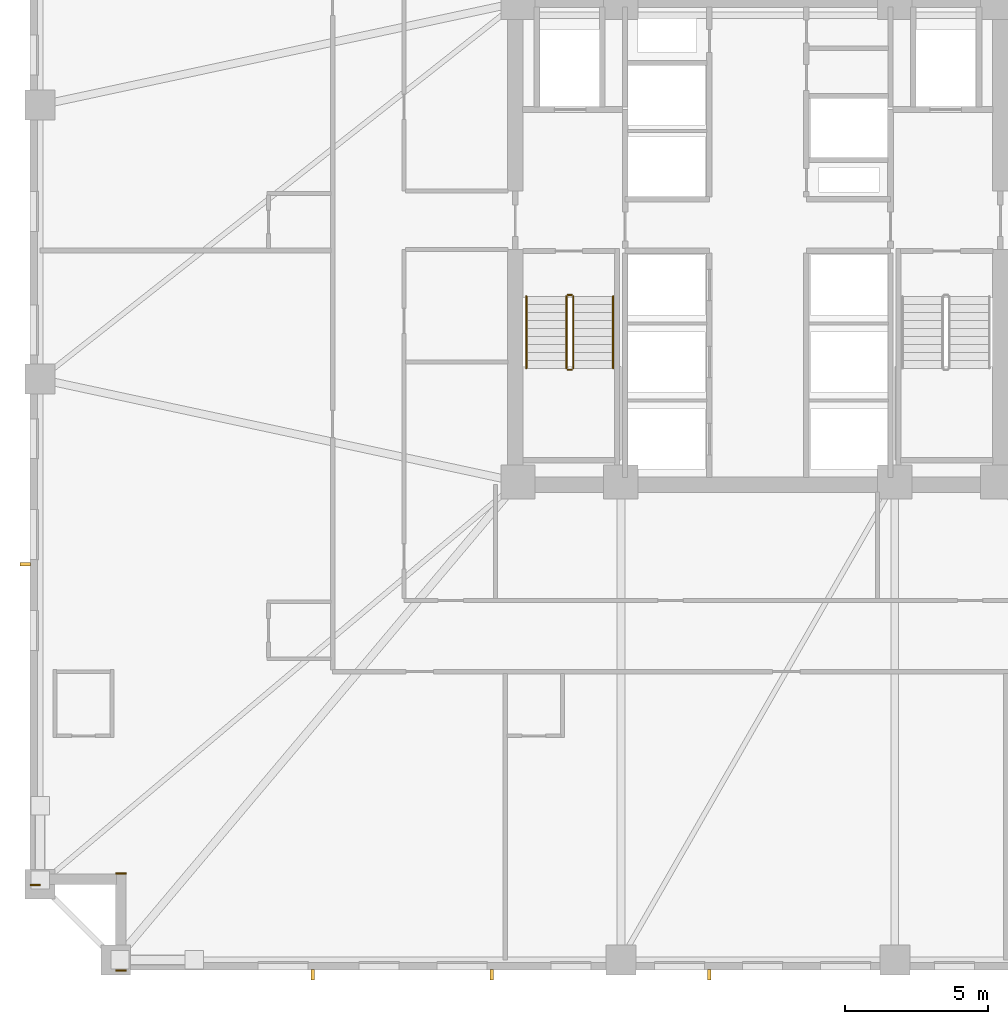
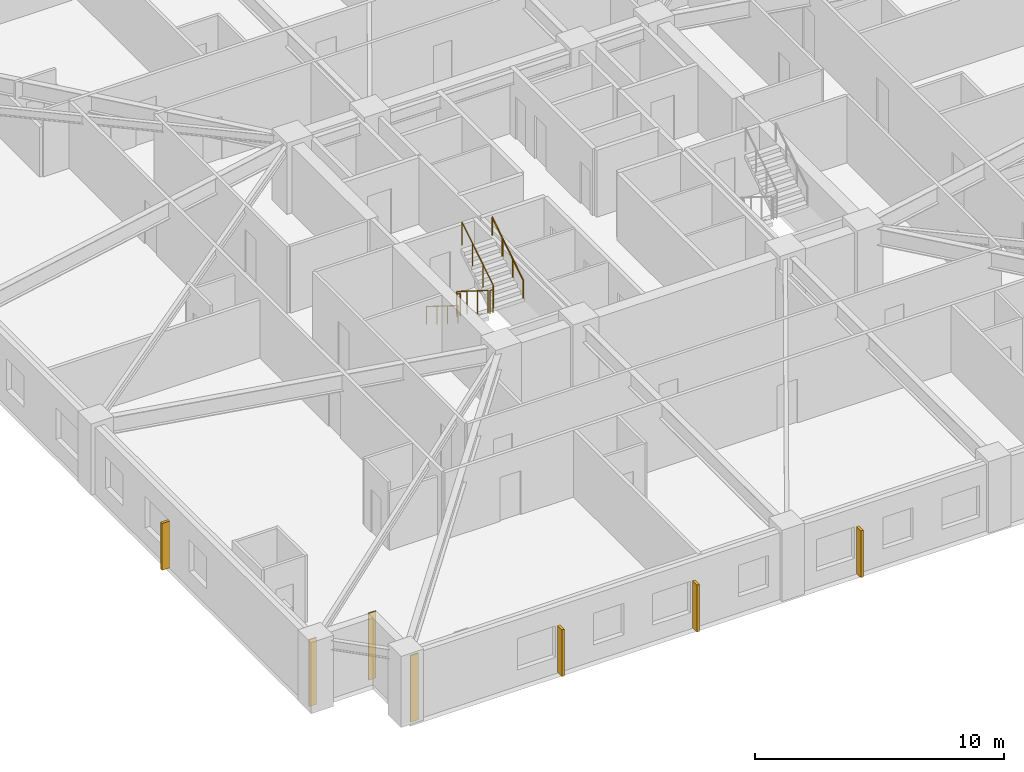
# One storey, part 8 of 11: 6 railings, 4 shading devices, 3 coverings.
"""IFC4 building model written with IfcOpenShell, lengths in metres."""

from ifc_helpers import new_model, si_unit, direction, frame, frame_2d, origin, origin_2d, place, context, subcontext, project, spatial, rectangle, circle, extrude, material, layer, layer_set, type_object, element, save


model = new_model("IFC4")

# Units and contexts
model_context = context("Model", 3, precision=1e-05, world=origin(), true_north=direction((0.0, 1.0)))
body_context = subcontext(model_context, "Body", "Model", "MODEL_VIEW")
ifc_project = project(units=[si_unit("LENGTHUNIT", "METRE"), si_unit("AREAUNIT", "SQUARE_METRE"), si_unit("VOLUMEUNIT", "CUBIC_METRE"), si_unit("PLANEANGLEUNIT", "RADIAN"), si_unit("MASSUNIT", "GRAM", prefix="KILO")], contexts=[model_context])

# Site, building, storey
site_placement = place(None, origin())
site = spatial("IfcSite", under=ifc_project, at=site_placement, CompositionType="ELEMENT")
building_placement = place(site_placement, origin())
building = spatial("IfcBuilding", under=site, at=building_placement, Name="Cairnveth Concourse Tower", CompositionType="ELEMENT")
storey_placement = place(building_placement, frame((0.0, 0.0, 86.5)))
storey = spatial("IfcBuildingStorey", under=building, at=storey_placement, Name="L23", CompositionType="ELEMENT", Elevation=86.5)

# Coverings
ifc_material_1 = material(Name="Dressed Melbourne Bluestone Cladding", Category="masonry")
ifc_layer = layer(ifc_material_1, 0.050048828125)
ifc_layer_set = layer_set([ifc_layer], Name="Dressed Melbourne Bluestone Cladding")
covering_type = type_object("IfcCoveringType", Name="DRESSED BLUESTONE PLINTH CLADDING 50", PredefinedType="CLADDING", material=ifc_layer_set)
for number, where, z_axis, x_axis, name in (
    (1, (29.860107421875, 13.47998046875, 0.0), (0.0, 0.0, 1.0), (-1.0, 0.0, 0.0), "Melbourne Bluestone Corner Quoin L23-318"),
    (2, (29.860107421875, 16.8798828125, 0.0), (0.0, 0.0, 1.0), (-1.0, 0.0, 0.0), "Melbourne Bluestone Corner Quoin L23-319"),
    (3, (26.860107421875, 16.47998046875, 0.0), (0.0, 0.0, 1.0), (-1.0, 0.0, 0.0), "Melbourne Bluestone Corner Quoin L23-320"),
):
    element("IfcCovering", number, at=place(storey_placement, frame(where, z_axis=z_axis, x_axis=x_axis)), inside=storey, type_object=covering_type, Name=name, PredefinedType="CLADDING", context=body_context, shape_type="SweptSolid", body=[
        extrude(rectangle(XDim=0.360107421875, YDim=0.050048828125, at=frame_2d((0.18017578125, 0.0))), origin(), (0.0, 0.0, 1.0), 3.280029296875),
    ])

# Shading devices
ifc_material_2 = material(Name="Architectural Bronze Anodised Aluminium 6063-T6", Category="aluminium")
shading_device_type = type_object("IfcShadingDeviceType", Name="GOTHIC BRONZE VERTICAL LANCET FIN", PredefinedType="USERDEFINED", material=ifc_material_2)
for number, where, z_axis, x_axis, name in (
    (4, (50.293701171875, 13.324951171875, 0.02978515625), (0.0, 0.0, 1.0), (1.0, 0.0, 0.0), "Gothic Bronze Vertical Fin L23-6-7"),
    (5, (42.673583984375, 13.324951171875, 0.02978515625), (0.0, 0.0, 1.0), (1.0, 0.0, 0.0), "Gothic Bronze Vertical Fin L23-6-9"),
    (6, (36.403076171875, 13.324951171875, 0.02978515625), (0.0, 0.0, 1.0), (1.0, 0.0, 0.0), "Gothic Bronze Vertical Fin L23-6-11"),
    (7, (26.324951171875, 27.715576171875, 0.02978515625), (0.0, 0.0, 1.0), (0.0, 1.0, 0.0), "Gothic Bronze Vertical Fin L23-9-3"),
):
    element("IfcShadingDevice", number, at=place(storey_placement, frame(where, z_axis=z_axis, x_axis=x_axis)), inside=storey, type_object=shading_device_type, Name=name, ObjectType="VERTICAL FIN", PredefinedType="USERDEFINED", context=body_context, shape_type="SweptSolid", body=[
        extrude(rectangle(XDim=0.1201171875, YDim=0.360107421875, at=origin_2d()), origin(), (0.0, 0.0, 1.0), 2.303955078125),
    ])

# Railings
ifc_material_3 = material(Name="Steel Grade 350", Category="steel")
railing_type_1 = type_object("IfcRailingType", Name="STAIR GUARDRAIL 1150", PredefinedType="GUARDRAIL", material=ifc_material_3)
railing_1_placement = place(storey_placement, frame((45.2900390625, 37.10009765625, 0.175048828125)))
element("IfcRailing", 8, at=railing_1_placement, inside=storey, type_object=railing_type_1, Name="L23 ST-1 stair guard 1", PredefinedType="GUARDRAIL", context=body_context, shape_type="SweptSolid", body=[
    extrude(circle(Radius=0.02392578125, at=origin_2d()), frame((0.0, 0.0, 1.1259765625), z_axis=(0.0, -0.848007534815, 0.529984170421), x_axis=(1.0, 0.0, 0.0)), (0.0, 0.0, 1.0), 2.9716796875),
    extrude(circle(Radius=0.02099609375, at=origin_2d()), origin(), (0.0, 0.0, 1.0), 1.101806640625),
    extrude(circle(Radius=0.02099609375, at=origin_2d()), frame((0.0, -0.840087890625, 0.52490234375)), (0.0, 0.0, 1.0), 1.101806640625),
    extrude(circle(Radius=0.02099609375, at=origin_2d()), frame((0.0, -1.679931640625, 1.050048828125)), (0.0, 0.0, 1.0), 1.101806640625),
    extrude(circle(Radius=0.02099609375, at=origin_2d()), frame((0.0, -2.52001953125, 1.574951171875)), (0.0, 0.0, 1.0), 1.101806640625),
])
railing_2_placement = place(storey_placement, frame((45.340087890625, 34.530029296875, 1.75)))
element("IfcRailing", 9, at=railing_2_placement, inside=storey, type_object=railing_type_1, Name="L23 ST-1 stair guard 2", PredefinedType="GUARDRAIL", context=body_context, shape_type="SweptSolid", body=[
    extrude(circle(Radius=0.02392578125, at=origin_2d()), frame((0.0, 0.0, 1.1259765625), z_axis=(1.0, 0.0, 0.0), x_axis=(0.0, 1.0, 0.0)), (0.0, 0.0, 1.0), 0.139892578125),
    extrude(circle(Radius=0.02099609375, at=origin_2d()), origin(), (0.0, 0.0, 1.0), 1.101806640625),
    extrude(circle(Radius=0.02099609375, at=origin_2d()), frame((0.139892578125, 0.0, 0.0)), (0.0, 0.0, 1.0), 1.101806640625),
])
railing_3_placement = place(storey_placement, frame((45.530029296875, 34.580078125, 1.925048828125)))
element("IfcRailing", 10, at=railing_3_placement, inside=storey, type_object=railing_type_1, Name="L23 ST-1 stair guard 3", PredefinedType="GUARDRAIL", context=body_context, shape_type="SweptSolid", body=[
    extrude(circle(Radius=0.02392578125, at=origin_2d()), frame((0.0, 0.0, 1.1259765625), z_axis=(0.0, 0.848007534815, 0.529984170421), x_axis=(-1.0, 0.0, 0.0)), (0.0, 0.0, 1.0), 2.9716796875),
    extrude(circle(Radius=0.02099609375, at=origin_2d()), origin(), (0.0, 0.0, 1.0), 1.101806640625),
    extrude(circle(Radius=0.02099609375, at=origin_2d()), frame((0.0, 0.840087890625, 0.52490234375)), (0.0, 0.0, 1.0), 1.101806640625),
    extrude(circle(Radius=0.02099609375, at=origin_2d()), frame((0.0, 1.679931640625, 1.050048828125)), (0.0, 0.0, 1.0), 1.101806640625),
    extrude(circle(Radius=0.02099609375, at=origin_2d()), frame((0.0, 2.52001953125, 1.574951171875)), (0.0, 0.0, 1.0), 1.101806640625),
])
railing_4_placement = place(storey_placement, frame((45.340087890625, 37.14990234375, 0.0)))
element("IfcRailing", 11, at=railing_4_placement, inside=storey, type_object=railing_type_1, Name="L23 ST-1 stair guard 4", PredefinedType="GUARDRAIL", context=body_context, shape_type="SweptSolid", body=[
    extrude(circle(Radius=0.02392578125, at=origin_2d()), frame((0.0, 0.0, 1.1259765625), z_axis=(1.0, 0.0, 0.0), x_axis=(0.0, 1.0, 0.0)), (0.0, 0.0, 1.0), 0.139892578125),
    extrude(circle(Radius=0.02099609375, at=origin_2d()), origin(), (0.0, 0.0, 1.0), 1.101806640625),
    extrude(circle(Radius=0.02099609375, at=origin_2d()), frame((0.139892578125, 0.0, 0.0)), (0.0, 0.0, 1.0), 1.101806640625),
])
railing_type_2 = type_object("IfcRailingType", Name="STAIR WALL HANDRAIL 900", PredefinedType="HANDRAIL", material=ifc_material_3)
railing_5_placement = place(storey_placement, frame((43.889892578125, 37.10009765625, 0.175048828125)))
element("IfcRailing", 12, at=railing_5_placement, inside=storey, type_object=railing_type_2, Name="L23 ST-1 stair handrail 1", PredefinedType="HANDRAIL", context=body_context, shape_type="SweptSolid", body=[
    extrude(circle(Radius=0.02392578125, at=origin_2d()), frame((0.0, 0.0, 0.8759765625), z_axis=(0.0, -0.848007534815, 0.529984170421), x_axis=(1.0, 0.0, 0.0)), (0.0, 0.0, 1.0), 2.9716796875),
    extrude(circle(Radius=0.02099609375, at=origin_2d()), origin(), (0.0, 0.0, 1.0), 0.851806640625),
    extrude(circle(Radius=0.02099609375, at=origin_2d()), frame((0.0, -0.840087890625, 0.52490234375)), (0.0, 0.0, 1.0), 0.851806640625),
    extrude(circle(Radius=0.02099609375, at=origin_2d()), frame((0.0, -1.679931640625, 1.050048828125)), (0.0, 0.0, 1.0), 0.851806640625),
    extrude(circle(Radius=0.02099609375, at=origin_2d()), frame((0.0, -2.52001953125, 1.574951171875)), (0.0, 0.0, 1.0), 0.851806640625),
])
railing_6_placement = place(storey_placement, frame((46.929931640625, 34.580078125, 1.925048828125)))
element("IfcRailing", 13, at=railing_6_placement, inside=storey, type_object=railing_type_2, Name="L23 ST-1 stair handrail 2", PredefinedType="HANDRAIL", context=body_context, shape_type="SweptSolid", body=[
    extrude(circle(Radius=0.02392578125, at=origin_2d()), frame((0.0, 0.0, 0.8759765625), z_axis=(0.0, 0.848007534815, 0.529984170421), x_axis=(-1.0, 0.0, 0.0)), (0.0, 0.0, 1.0), 2.9716796875),
    extrude(circle(Radius=0.02099609375, at=origin_2d()), origin(), (0.0, 0.0, 1.0), 0.851806640625),
    extrude(circle(Radius=0.02099609375, at=origin_2d()), frame((0.0, 0.840087890625, 0.52490234375)), (0.0, 0.0, 1.0), 0.851806640625),
    extrude(circle(Radius=0.02099609375, at=origin_2d()), frame((0.0, 1.679931640625, 1.050048828125)), (0.0, 0.0, 1.0), 0.851806640625),
    extrude(circle(Radius=0.02099609375, at=origin_2d()), frame((0.0, 2.52001953125, 1.574951171875)), (0.0, 0.0, 1.0), 0.851806640625),
])

save(model, "model.ifc")
